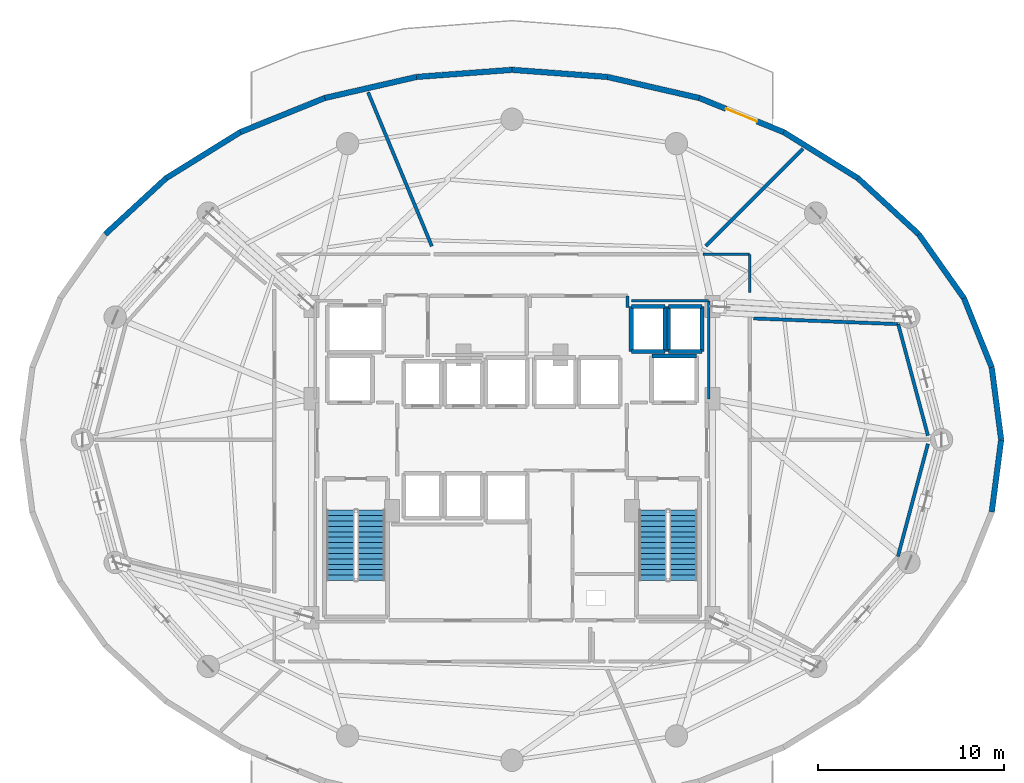
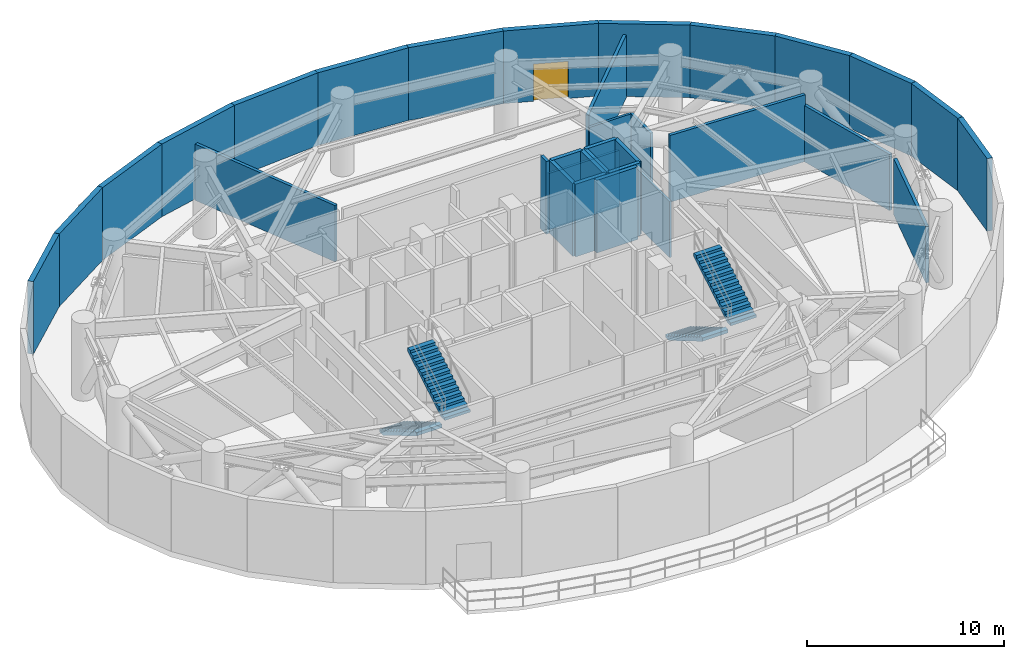
# One storey, part 9 of 10: 33 walls, 4 stair flights, 1 door, 1 opening, 2 elements without a shape of their own.
"""IFC4 building model written with IfcOpenShell, lengths in metres."""

from ifc_helpers import new_model, si_unit, direction, frame, frame_2d, origin, place, context, subcontext, project, spatial, polyline, rectangle, outline, extrude, material, layer, layer_set, type_object, element, fill, aggregate, save


model = new_model("IFC4")

# Units and contexts
model_context = context("Model", 3, precision=1e-05, world=origin(), true_north=direction((0.0, 1.0)))
body_context = subcontext(model_context, "Body", "Model", "MODEL_VIEW")
ifc_project = project(units=[si_unit("LENGTHUNIT", "METRE"), si_unit("AREAUNIT", "SQUARE_METRE"), si_unit("VOLUMEUNIT", "CUBIC_METRE"), si_unit("PLANEANGLEUNIT", "RADIAN"), si_unit("MASSUNIT", "GRAM", prefix="KILO")], contexts=[model_context])

# Site, building, storey
site_placement = place(None, origin())
site = spatial("IfcSite", under=ifc_project, at=site_placement, CompositionType="ELEMENT")
building_placement = place(site_placement, origin())
building = spatial("IfcBuilding", under=site, at=building_placement, Name="Vorneva Point Tower", CompositionType="ELEMENT")
storey_placement = place(building_placement, frame((0.0, 0.0, 69.5)))
storey = spatial("IfcBuildingStorey", under=building, at=storey_placement, Name="L18", CompositionType="ELEMENT", Elevation=69.5)

# Walls
ifc_material_1 = material(Name="Concrete B60 (C50/60)", Category="concrete")
ifc_layer_1 = layer(ifc_material_1, 0.5)
ifc_layer_set_1 = layer_set([ifc_layer_1], Name="Concrete B60 (C50/60)")
wall_type_1 = type_object("IfcWallType", Name="WL-CORE-500", PredefinedType="SHEAR", material=ifc_layer_set_1)
wall_1_placement = place(storey_placement, frame((47.89990234375, 30.5, 0.0), z_axis=(0.0, 0.0, 1.0), x_axis=(-1.0, 0.0, 0.0)))
element("IfcWall", 1, at=wall_1_placement, inside=storey, type_object=wall_type_1, Name="L18 Lift FFL2 Shaft Wall +Y", PredefinedType="SHEAR", context=body_context, shape_type="SweptSolid", body=[
    extrude(rectangle(XDim=2.39990234375, YDim=0.219970703125, at=frame_2d((1.199951171875, 0.0))), origin(), (0.0, 0.0, 1.0), 4.5),
])
ifc_material_2 = material(Name="Precast concrete B50 (C40/50)", Category="concrete")
ifc_layer_2 = layer(ifc_material_2, 0.300048828125)
ifc_layer_set_2 = layer_set([ifc_layer_2], Name="Precast concrete B50 (C40/50)")
wall_type_2 = type_object("IfcWallType", Name="WL-EXT-300", PredefinedType="STANDARD", material=ifc_layer_set_2)
wall_2_placement = place(storey_placement, frame((64.25, 26.0, 0.0), z_axis=(0.0, 0.0, 1.0), x_axis=(-0.129157444793, 0.991624099372, 0.0)))
element("IfcWall", 2, at=wall_2_placement, inside=storey, type_object=wall_type_2, Name="L18 Pale-Metal Facade Spandrel Wall 01.1", PredefinedType="STANDARD", context=body_context, shape_type="SweptSolid", body=[
    extrude(rectangle(XDim=3.9052734375, YDim=0.300048828125, at=frame_2d((1.95263671875, 0.0))), origin(), (0.0, 0.0, 1.0), 4.5),
])
wall_3_placement = place(storey_placement, frame((63.74560546875, 29.87255859375, 0.0), z_axis=(0.0, 0.0, 1.0), x_axis=(-0.372345205928, 0.92809430966, 0.0)))
element("IfcWall", 3, at=wall_3_placement, inside=storey, type_object=wall_type_2, Name="L18 Pale-Metal Facade Spandrel Wall 01.2", PredefinedType="STANDARD", context=body_context, shape_type="SweptSolid", body=[
    extrude(rectangle(XDim=4.01220703125, YDim=0.300048828125, at=frame_2d((2.006103515625, 0.0))), origin(), (0.0, 0.0, 1.0), 4.5),
])
wall_4_placement = place(storey_placement, frame((62.251708984375, 33.59619140625, 0.0), z_axis=(0.0, 0.0, 1.0), x_axis=(-0.57716435238, 0.81662801222, 0.0)))
element("IfcWall", 4, at=wall_4_placement, inside=storey, type_object=wall_type_2, Name="L18 Pale-Metal Facade Spandrel Wall 02.1", PredefinedType="STANDARD", context=body_context, shape_type="SweptSolid", body=[
    extrude(rectangle(XDim=4.202392578125, YDim=0.300048828125, at=frame_2d((2.10107421875, 0.0))), origin(), (0.0, 0.0, 1.0), 4.5),
])
wall_5_placement = place(storey_placement, frame((59.826171875, 37.028076171875, 0.0), z_axis=(0.0, 0.0, 1.0), x_axis=(-0.735416718093, 0.677615119924, 0.0)))
element("IfcWall", 5, at=wall_5_placement, inside=storey, type_object=wall_type_2, Name="L18 Pale-Metal Facade Spandrel Wall 02.2", PredefinedType="STANDARD", context=body_context, shape_type="SweptSolid", body=[
    extrude(rectangle(XDim=4.439208984375, YDim=0.300048828125, at=frame_2d((2.2197265625, 0.0))), origin(), (0.0, 0.0, 1.0), 4.5),
])
wall_6_placement = place(storey_placement, frame((56.5615234375, 40.0361328125, 0.0), z_axis=(0.0, 0.0, 1.0), x_axis=(-0.849684479743, 0.527291461038, 0.0)))
element("IfcWall", 6, at=wall_6_placement, inside=storey, type_object=wall_type_2, Name="L18 Pale-Metal Facade Spandrel Wall 03.1", PredefinedType="STANDARD", context=body_context, shape_type="SweptSolid", body=[
    extrude(rectangle(XDim=4.681396484375, YDim=0.300048828125, at=frame_2d((2.3408203125, 0.0))), origin(), (0.0, 0.0, 1.0), 4.5),
])

# Wall, opening, door
wall_7_placement = place(storey_placement, frame((52.583740234375, 42.504638671875, 0.0), z_axis=(0.0, 0.0, 1.0), x_axis=(-0.927122233109, 0.374759075775, 0.0)))
wall_7 = element("IfcWall", 7, at=wall_7_placement, inside=storey, type_object=wall_type_2, Name="L18 Pale-Metal Facade Spandrel Wall 03.2", PredefinedType="STANDARD", context=body_context, shape_type="SweptSolid", body=[
    extrude(rectangle(XDim=4.89501953125, YDim=0.300048828125, at=frame_2d((2.447509765625, 0.0))), origin(), (0.0, 0.0, 1.0), 4.5),
])
opening_placement = place(wall_7_placement, frame((1.547607421875, 0.0, 0.0)))
opening = element("IfcOpeningElement", 8, at=opening_placement, cuts=wall_7, Name="Opening BD-02", PredefinedType="OPENING", context=body_context, shape_type="SweptSolid", body=[
    extrude(rectangle(XDim=1.800048828125, YDim=2.300048828125, at=frame_2d((0.89990234375, 1.14990234375))), frame((0.0, 0.1650390625, 0.0), z_axis=(0.0, -1.0, 0.0), x_axis=(1.0, 0.0, 0.0)), (0.0, 0.0, 1.0), 0.329833984375),
])
ifc_material_3 = material(Name="Pale anodised aluminium", Category="aluminium")
door_type = type_object("IfcDoorType", Name="DR-TER-1800", OperationType="DOUBLE_SWING_LEFT", PredefinedType="DOOR", material=ifc_material_3)
door_placement = place(opening_placement, origin())
door = element("IfcDoor", 9, at=door_placement, inside=storey, type_object=door_type, Name="L18 Balcony Terrace Access Door 03", OperationType="DOUBLE_SWING_LEFT", OverallHeight=2.300048828125, OverallWidth=1.800048828125, PredefinedType="DOOR", context=body_context, shape_type="SweptSolid", body=[
    extrude(rectangle(XDim=1.800048828125, YDim=2.300048828125, at=frame_2d((0.89990234375, 1.14990234375))), frame((0.0, 0.02490234375, 0.0), z_axis=(0.0, -1.0, 0.0), x_axis=(1.0, 0.0, 0.0)), (0.0, 0.0, 1.0), 0.050048828125),
])
fill(opening, door)

# Walls
wall_8_placement = place(storey_placement, frame((48.04541015625, 44.339111328125, 0.0), z_axis=(0.0, 0.0, 1.0), x_axis=(-0.974693285837, 0.223546412508, 0.0)))
element("IfcWall", 10, at=wall_8_placement, inside=storey, type_object=wall_type_2, Name="L18 Pale-Metal Facade Spandrel Wall 04.1", PredefinedType="STANDARD", context=body_context, shape_type="SweptSolid", body=[
    extrude(rectangle(XDim=5.05224609375, YDim=0.300048828125, at=frame_2d((2.526123046875, 0.0))), origin(), (0.0, 0.0, 1.0), 4.5),
])
for number, where, z_axis, x_axis, name in (
    (11, (43.12109375, 45.468505859375, 0.0), (0.0, 0.0, 1.0), (-0.997235359288, 0.074307726286, 0.0), "L18 Pale-Metal Facade Spandrel Wall 04.2"),
    (12, (38.0, 45.85009765625, 0.0), (0.0, 0.0, 1.0), (-0.997235359288, -0.074307726286, 0.0), "L18 Pale-Metal Facade Spandrel Wall 05.1"),
):
    element("IfcWall", number, at=place(storey_placement, frame(where, z_axis=z_axis, x_axis=x_axis)), inside=storey, type_object=wall_type_2, Name=name, PredefinedType="STANDARD", context=body_context, shape_type="SweptSolid", body=[
        extrude(rectangle(XDim=5.13525390625, YDim=0.300048828125, at=frame_2d((2.567626953125, 0.0))), origin(), (0.0, 0.0, 1.0), 4.5),
    ])
wall_9_placement = place(storey_placement, frame((32.87890625, 45.468505859375, 0.0), z_axis=(0.0, 0.0, 1.0), x_axis=(-0.974693285837, -0.223546412508, 0.0)))
element("IfcWall", 13, at=wall_9_placement, inside=storey, type_object=wall_type_2, Name="L18 Pale-Metal Facade Spandrel Wall 05.2", PredefinedType="STANDARD", context=body_context, shape_type="SweptSolid", body=[
    extrude(rectangle(XDim=5.05224609375, YDim=0.300048828125, at=frame_2d((2.526123046875, 0.0))), origin(), (0.0, 0.0, 1.0), 4.5),
])
wall_10_placement = place(storey_placement, frame((27.95458984375, 44.339111328125, 0.0), z_axis=(0.0, 0.0, 1.0), x_axis=(-0.927122233109, -0.374759075775, 0.0)))
element("IfcWall", 14, at=wall_10_placement, inside=storey, type_object=wall_type_2, Name="L18 Pale-Metal Facade Spandrel Wall 06.1", PredefinedType="STANDARD", context=body_context, shape_type="SweptSolid", body=[
    extrude(rectangle(XDim=4.89501953125, YDim=0.300048828125, at=frame_2d((2.447509765625, 0.0))), origin(), (0.0, 0.0, 1.0), 4.5),
])
wall_11_placement = place(storey_placement, frame((23.416259765625, 42.504638671875, 0.0), z_axis=(0.0, 0.0, 1.0), x_axis=(-0.849684479743, -0.527291461038, 0.0)))
element("IfcWall", 15, at=wall_11_placement, inside=storey, type_object=wall_type_2, Name="L18 Pale-Metal Facade Spandrel Wall 06.2", PredefinedType="STANDARD", context=body_context, shape_type="SweptSolid", body=[
    extrude(rectangle(XDim=4.681396484375, YDim=0.300048828125, at=frame_2d((2.3408203125, 0.0))), origin(), (0.0, 0.0, 1.0), 4.5),
])
wall_12_placement = place(storey_placement, frame((19.4384765625, 40.0361328125, 0.0), z_axis=(0.0, 0.0, 1.0), x_axis=(-0.735416718093, -0.677615119924, 0.0)))
element("IfcWall", 16, at=wall_12_placement, inside=storey, type_object=wall_type_2, Name="L18 Pale-Metal Facade Spandrel Wall 07.1", PredefinedType="STANDARD", context=body_context, shape_type="SweptSolid", body=[
    extrude(rectangle(XDim=4.439208984375, YDim=0.300048828125, at=frame_2d((2.2197265625, 0.0))), origin(), (0.0, 0.0, 1.0), 4.5),
])
wall_13_placement = place(storey_placement, frame((63.74560546875, 22.12744140625, 0.0), z_axis=(0.0, 0.0, 1.0), x_axis=(0.129157444793, 0.991624099372, 0.0)))
element("IfcWall", 17, at=wall_13_placement, inside=storey, type_object=wall_type_2, Name="L18 Pale-Metal Facade Spandrel Wall 16.2", PredefinedType="STANDARD", context=body_context, shape_type="SweptSolid", body=[
    extrude(rectangle(XDim=3.9052734375, YDim=0.300048828125, at=frame_2d((1.95263671875, 0.0))), origin(), (0.0, 0.0, 1.0), 4.5),
])
ifc_material_4 = material(Name="Fire-rated acoustic gypsum stud partition", Category="gypsum")
ifc_layer_3 = layer(ifc_material_4, 0.139892578125)
ifc_layer_set_3 = layer_set([ifc_layer_3], Name="Fire-rated acoustic gypsum stud partition")
wall_type_3 = type_object("IfcWallType", Name="WL-PART-140", PredefinedType="PARTITIONING", material=ifc_layer_set_3)
wall_14_placement = place(storey_placement, frame((44.419921875, 33.449951171875, 0.0), z_axis=(0.0, 0.0, 1.0), x_axis=(1.0, 0.0, 0.0)))
element("IfcWall", 18, at=wall_14_placement, inside=storey, type_object=wall_type_3, Name="L18 Interior Closure Partition 039", PredefinedType="PARTITIONING", context=body_context, shape_type="SweptSolid", body=[
    extrude(rectangle(XDim=4.130126953125, YDim=0.139892578125, at=frame_2d((2.06494140625, 0.0))), origin(), (0.0, 0.0, 1.0), 3.48193359375),
])
wall_15_placement = place(storey_placement, frame((48.550048828125, 33.449951171875, 0.0), z_axis=(0.0, 0.0, 1.0), x_axis=(0.0, -1.0, 0.0)))
element("IfcWall", 19, at=wall_15_placement, inside=storey, type_object=wall_type_3, Name="L18 Interior Closure Partition 040", PredefinedType="PARTITIONING", context=body_context, shape_type="SweptSolid", body=[
    extrude(rectangle(XDim=5.25390625, YDim=0.139892578125, at=frame_2d((2.626953125, 0.0))), origin(), (0.0, 0.0, 1.0), 3.48193359375),
])
wall_16_placement = place(storey_placement, frame((50.75, 33.902099609375, 0.0), z_axis=(0.0, 0.0, 1.0), x_axis=(0.0, 1.0, 0.0)))
element("IfcWall", 20, at=wall_16_placement, inside=storey, type_object=wall_type_3, Name="L18 Interior Closure Partition 046", PredefinedType="PARTITIONING", context=body_context, shape_type="SweptSolid", body=[
    extrude(rectangle(XDim=2.0478515625, YDim=0.139892578125, at=frame_2d((1.02392578125, 0.0))), origin(), (0.0, 0.0, 1.0), 3.48193359375),
])
wall_17_placement = place(storey_placement, frame((50.75, 35.949951171875, 0.0), z_axis=(0.0, 0.0, 1.0), x_axis=(-1.0, 0.0, 0.0)))
element("IfcWall", 21, at=wall_17_placement, inside=storey, type_object=wall_type_3, Name="L18 Interior Closure Partition 047", PredefinedType="PARTITIONING", context=body_context, shape_type="SweptSolid", body=[
    extrude(rectangle(XDim=2.4951171875, YDim=0.139892578125, at=frame_2d((1.24755859375, 0.0))), origin(), (0.0, 0.0, 1.0), 3.48193359375),
])
ifc_material_5 = material(Name="Autoclaved aerated concrete blockwork", Category="masonry")
ifc_layer_4 = layer(ifc_material_5, 0.179931640625)
ifc_layer_set_4 = layer_set([ifc_layer_4], Name="Autoclaved aerated concrete blockwork")
wall_type_4 = type_object("IfcWallType", Name="WL-PART-180", PredefinedType="PARTITIONING", material=ifc_layer_set_4)
wall_18_placement = place(storey_placement, frame((44.199951171875, 33.110107421875, 0.0), z_axis=(0.0, 0.0, 1.0), x_axis=(0.0, 1.0, 0.0)))
element("IfcWall", 22, at=wall_18_placement, inside=storey, type_object=wall_type_4, Name="L18 Interior Partition 019", PredefinedType="PARTITIONING", context=body_context, shape_type="SweptSolid", body=[
    extrude(rectangle(XDim=0.60986328125, YDim=0.179931640625, at=frame_2d((0.304931640625, 0.0))), origin(), (0.0, 0.0, 1.0), 4.5),
])
wall_19_placement = place(storey_placement, frame((48.39990234375, 36.39990234375, 0.0), z_axis=(0.0, 0.0, 1.0), x_axis=(0.707106781187, 0.707106781187, 0.0)))
element("IfcWall", 23, at=wall_19_placement, inside=storey, type_object=wall_type_4, Name="L18 Interior Closure Partition 058", PredefinedType="PARTITIONING", context=body_context, shape_type="SweptSolid", body=[
    extrude(rectangle(XDim=7.36669921875, YDim=0.179931640625, at=frame_2d((3.683349609375, 0.0))), origin(), (0.0, 0.0, 1.0), 3.884033203125),
])
wall_20_placement = place(storey_placement, frame((30.277099609375, 44.64599609375, 0.0), z_axis=(0.0, 0.0, 1.0), x_axis=(0.382673394638, -0.92388369021, 0.0)))
element("IfcWall", 24, at=wall_20_placement, inside=storey, type_object=wall_type_4, Name="L18 Interior Closure Partition 059", PredefinedType="PARTITIONING", context=body_context, shape_type="SweptSolid", body=[
    extrude(rectangle(XDim=8.939453125, YDim=0.179931640625, at=frame_2d((4.4697265625, 0.0))), origin(), (0.0, 0.0, 1.0), 3.48193359375),
])
wall_21_placement = place(storey_placement, frame((58.70703125, 19.736083984375, 0.0), z_axis=(0.0, 0.0, 1.0), x_axis=(0.257567905164, 0.966260200065, 0.0)))
element("IfcWall", 25, at=wall_21_placement, inside=storey, type_object=wall_type_4, Name="L18 Interior Closure Partition 070", PredefinedType="PARTITIONING", context=body_context, shape_type="SweptSolid", body=[
    extrude(rectangle(XDim=6.2548828125, YDim=0.179931640625, at=frame_2d((3.12744140625, 0.0))), origin(), (0.0, 0.0, 1.0), 3.48193359375),
])
wall_22_placement = place(storey_placement, frame((60.31591796875, 26.22998046875, 0.0), z_axis=(0.0, 0.0, 1.0), x_axis=(-0.257611046893, 0.966248699103, 0.0)))
element("IfcWall", 26, at=wall_22_placement, inside=storey, type_object=wall_type_4, Name="L18 Interior Closure Partition 071", PredefinedType="PARTITIONING", context=body_context, shape_type="SweptSolid", body=[
    extrude(rectangle(XDim=6.183837890625, YDim=0.179931640625, at=frame_2d((3.091796875, 0.0))), origin(), (0.0, 0.0, 1.0), 3.48193359375),
])
wall_23_placement = place(storey_placement, frame((58.722900390625, 32.205078125, 0.0), z_axis=(0.0, 0.0, 1.0), x_axis=(-0.999222475973, 0.039426431616, 0.0)))
element("IfcWall", 27, at=wall_23_placement, inside=storey, type_object=wall_type_4, Name="L18 Interior Closure Partition 072", PredefinedType="PARTITIONING", context=body_context, shape_type="SweptSolid", body=[
    extrude(rectangle(XDim=7.759033203125, YDim=0.179931640625, at=frame_2d((3.87939453125, 0.0))), origin(), (0.0, 0.0, 1.0), 4.134033203125),
])
ifc_material_6 = material(Name="Concrete B50 (C40/50)", Category="concrete")
ifc_layer_5 = layer(ifc_material_6, 0.219970703125)
ifc_layer_set_5 = layer_set([ifc_layer_5], Name="Concrete B50 (C40/50)")
wall_type_5 = type_object("IfcWallType", Name="WL-SHFT-220", PredefinedType="SOLIDWALL", material=ifc_layer_set_5)
wall_24_placement = place(storey_placement, frame((44.39990234375, 30.739990234375, 0.0), z_axis=(0.0, 0.0, 1.0), x_axis=(1.0, 0.0, 0.0)))
element("IfcWall", 28, at=wall_24_placement, inside=storey, type_object=wall_type_5, Name="L18 Lift EX1 Shaft Wall -Y", PredefinedType="SOLIDWALL", context=body_context, shape_type="SweptSolid", body=[
    extrude(rectangle(XDim=1.800048828125, YDim=0.219970703125, at=frame_2d((0.89990234375, 0.0))), origin(), (0.0, 0.0, 1.0), 4.5),
])
wall_25_placement = place(storey_placement, frame((46.199951171875, 30.739990234375, 0.0), z_axis=(0.0, 0.0, 1.0), x_axis=(0.0, 1.0, 0.0)))
element("IfcWall", 29, at=wall_25_placement, inside=storey, type_object=wall_type_5, Name="L18 Lift EX1 Shaft Wall +X", PredefinedType="SOLIDWALL", context=body_context, shape_type="SweptSolid", body=[
    extrude(rectangle(XDim=2.419921875, YDim=0.219970703125, at=frame_2d((1.2099609375, 0.0))), origin(), (0.0, 0.0, 1.0), 4.5),
])
wall_26_placement = place(storey_placement, frame((46.199951171875, 33.159912109375, 0.0), z_axis=(0.0, 0.0, 1.0), x_axis=(-1.0, 0.0, 0.0)))
element("IfcWall", 30, at=wall_26_placement, inside=storey, type_object=wall_type_5, Name="L18 Lift EX1 Shaft Wall +Y", PredefinedType="SOLIDWALL", context=body_context, shape_type="SweptSolid", body=[
    extrude(rectangle(XDim=1.800048828125, YDim=0.219970703125, at=frame_2d((0.89990234375, 0.0))), origin(), (0.0, 0.0, 1.0), 4.5),
])
wall_27_placement = place(storey_placement, frame((44.39990234375, 33.159912109375, 0.0), z_axis=(0.0, 0.0, 1.0), x_axis=(0.0, -1.0, 0.0)))
element("IfcWall", 31, at=wall_27_placement, inside=storey, type_object=wall_type_5, Name="L18 Lift EX1 Shaft Wall -X", PredefinedType="SOLIDWALL", context=body_context, shape_type="SweptSolid", body=[
    extrude(rectangle(XDim=2.419921875, YDim=0.219970703125, at=frame_2d((1.2099609375, 0.0))), origin(), (0.0, 0.0, 1.0), 4.5),
])
wall_28_placement = place(storey_placement, frame((46.39990234375, 30.739990234375, 0.0), z_axis=(0.0, 0.0, 1.0), x_axis=(1.0, 0.0, 0.0)))
element("IfcWall", 32, at=wall_28_placement, inside=storey, type_object=wall_type_5, Name="L18 Lift EX2 Shaft Wall -Y", PredefinedType="SOLIDWALL", context=body_context, shape_type="SweptSolid", body=[
    extrude(rectangle(XDim=1.800048828125, YDim=0.219970703125, at=frame_2d((0.89990234375, 0.0))), origin(), (0.0, 0.0, 1.0), 4.5),
])
wall_29_placement = place(storey_placement, frame((48.199951171875, 30.739990234375, 0.0), z_axis=(0.0, 0.0, 1.0), x_axis=(0.0, 1.0, 0.0)))
element("IfcWall", 33, at=wall_29_placement, inside=storey, type_object=wall_type_5, Name="L18 Lift EX2 Shaft Wall +X", PredefinedType="SOLIDWALL", context=body_context, shape_type="SweptSolid", body=[
    extrude(rectangle(XDim=2.419921875, YDim=0.219970703125, at=frame_2d((1.2099609375, 0.0))), origin(), (0.0, 0.0, 1.0), 4.5),
])
wall_30_placement = place(storey_placement, frame((48.199951171875, 33.159912109375, 0.0), z_axis=(0.0, 0.0, 1.0), x_axis=(-1.0, 0.0, 0.0)))
element("IfcWall", 34, at=wall_30_placement, inside=storey, type_object=wall_type_5, Name="L18 Lift EX2 Shaft Wall +Y", PredefinedType="SOLIDWALL", context=body_context, shape_type="SweptSolid", body=[
    extrude(rectangle(XDim=1.800048828125, YDim=0.219970703125, at=frame_2d((0.89990234375, 0.0))), origin(), (0.0, 0.0, 1.0), 4.5),
])
wall_31_placement = place(storey_placement, frame((46.39990234375, 33.159912109375, 0.0), z_axis=(0.0, 0.0, 1.0), x_axis=(0.0, -1.0, 0.0)))
element("IfcWall", 35, at=wall_31_placement, inside=storey, type_object=wall_type_5, Name="L18 Lift EX2 Shaft Wall -X", PredefinedType="SOLIDWALL", context=body_context, shape_type="SweptSolid", body=[
    extrude(rectangle(XDim=2.419921875, YDim=0.219970703125, at=frame_2d((1.2099609375, 0.0))), origin(), (0.0, 0.0, 1.0), 4.5),
])

# Stair, stair flights
stair_type = type_object("IfcStairType", Name="ST-DOG-1500", PredefinedType="HALF_TURN_STAIR", material=ifc_material_6)
stair_1_placement = place(storey_placement, origin())
stair_1 = element("IfcStair", 36, at=stair_1_placement, inside=storey, type_object=stair_type, Name="L18 ST1", PredefinedType="HALF_TURN_STAIR")
stair_flight_type = type_object("IfcStairFlightType", Name="STF-1500", PredefinedType="STRAIGHT", material=ifc_material_6)
stair_flight_1_placement = place(storey_placement, frame((28.800048828125, 22.219970703125, 0.0), z_axis=(0.0, 0.0, 1.0), x_axis=(0.0, -1.0, 0.0)))
stair_flight_1 = element("IfcStairFlight", 37, at=stair_flight_1_placement, type_object=stair_flight_type, Name="ST1 flight 1", NumberOfRisers=14, NumberOfTreads=13, PredefinedType="STRAIGHT", RiserHeight=0.171428571, TreadLength=0.29, context=body_context, shape_type="SweptSolid", body=[
    extrude(outline(polyline([(0.0, 0.0), (0.0, 0.17138671875), (0.2900390625, 0.17138671875), (0.2900390625, 0.3427734375), (0.580078125, 0.3427734375), (0.580078125, 0.514404296875), (0.8701171875, 0.514404296875), (0.8701171875, 0.685791015625), (1.159912109375, 0.685791015625), (1.159912109375, 0.857177734375), (1.449951171875, 0.857177734375), (1.449951171875, 1.028564453125), (1.739990234375, 1.028564453125), (1.739990234375, 1.199951171875), (2.030029296875, 1.199951171875), (2.030029296875, 1.371337890625), (2.320068359375, 1.371337890625), (2.320068359375, 1.54296875), (2.610107421875, 1.54296875), (2.610107421875, 1.71435546875), (2.89990234375, 1.71435546875), (2.89990234375, 1.8857421875), (3.18994140625, 1.8857421875), (3.18994140625, 2.05712890625), (3.47998046875, 2.05712890625), (3.47998046875, 2.228515625), (3.77001953125, 2.228515625), (3.77001953125, 2.39990234375), (3.77001953125, 2.01953125), (0.353515625, 0.0), (0.0, 0.0)])), frame((0.0, 0.75, 0.0), z_axis=(0.0, -1.0, 0.0), x_axis=(1.0, 0.0, 0.0)), (0.0, 0.0, 1.0), 1.5),
])
stair_flight_2_placement = place(storey_placement, frame((30.449951171875, 18.449951171875, 2.39990234375), z_axis=(0.0, 0.0, 1.0), x_axis=(0.0, 1.0, 0.0)))
stair_flight_2 = element("IfcStairFlight", 38, at=stair_flight_2_placement, type_object=stair_flight_type, Name="ST1 flight 2", NumberOfRisers=14, NumberOfTreads=13, PredefinedType="STRAIGHT", RiserHeight=0.171428571, TreadLength=0.29, context=body_context, shape_type="SweptSolid", body=[
    extrude(outline(polyline([(0.0, 0.0), (0.0, 0.17138671875), (0.2900390625, 0.17138671875), (0.2900390625, 0.3427734375), (0.580078125, 0.3427734375), (0.580078125, 0.514404296875), (0.8701171875, 0.514404296875), (0.8701171875, 0.685791015625), (1.159912109375, 0.685791015625), (1.159912109375, 0.857177734375), (1.449951171875, 0.857177734375), (1.449951171875, 1.028564453125), (1.739990234375, 1.028564453125), (1.739990234375, 1.199951171875), (2.030029296875, 1.199951171875), (2.030029296875, 1.371337890625), (2.320068359375, 1.371337890625), (2.320068359375, 1.54296875), (2.610107421875, 1.54296875), (2.610107421875, 1.71435546875), (2.89990234375, 1.71435546875), (2.89990234375, 1.8857421875), (3.18994140625, 1.8857421875), (3.18994140625, 2.05712890625), (3.47998046875, 2.05712890625), (3.47998046875, 2.228515625), (3.77001953125, 2.228515625), (3.77001953125, 2.39990234375), (3.77001953125, 2.01953125), (0.353515625, 0.0), (0.0, 0.0)])), frame((0.0, 0.75, 0.0), z_axis=(0.0, -1.0, 0.0), x_axis=(1.0, 0.0, 0.0)), (0.0, 0.0, 1.0), 1.5),
])
aggregate(stair_1, [stair_flight_1, stair_flight_2])

stair_2_placement = place(storey_placement, origin())
stair_2 = element("IfcStair", 39, at=stair_2_placement, inside=storey, type_object=stair_type, Name="L18 ST2", PredefinedType="HALF_TURN_STAIR")
stair_flight_3_placement = place(storey_placement, frame((45.550048828125, 22.219970703125, 0.0), z_axis=(0.0, 0.0, 1.0), x_axis=(0.0, -1.0, 0.0)))
stair_flight_3 = element("IfcStairFlight", 40, at=stair_flight_3_placement, type_object=stair_flight_type, Name="ST2 flight 1", NumberOfRisers=14, NumberOfTreads=13, PredefinedType="STRAIGHT", RiserHeight=0.171428571, TreadLength=0.29, context=body_context, shape_type="SweptSolid", body=[
    extrude(outline(polyline([(0.0, 0.0), (0.0, 0.17138671875), (0.2900390625, 0.17138671875), (0.2900390625, 0.3427734375), (0.580078125, 0.3427734375), (0.580078125, 0.514404296875), (0.8701171875, 0.514404296875), (0.8701171875, 0.685791015625), (1.159912109375, 0.685791015625), (1.159912109375, 0.857177734375), (1.449951171875, 0.857177734375), (1.449951171875, 1.028564453125), (1.739990234375, 1.028564453125), (1.739990234375, 1.199951171875), (2.030029296875, 1.199951171875), (2.030029296875, 1.371337890625), (2.320068359375, 1.371337890625), (2.320068359375, 1.54296875), (2.610107421875, 1.54296875), (2.610107421875, 1.71435546875), (2.89990234375, 1.71435546875), (2.89990234375, 1.8857421875), (3.18994140625, 1.8857421875), (3.18994140625, 2.05712890625), (3.47998046875, 2.05712890625), (3.47998046875, 2.228515625), (3.77001953125, 2.228515625), (3.77001953125, 2.39990234375), (3.77001953125, 2.01953125), (0.353515625, 0.0), (0.0, 0.0)])), frame((0.0, 0.75, 0.0), z_axis=(0.0, -1.0, 0.0), x_axis=(1.0, 0.0, 0.0)), (0.0, 0.0, 1.0), 1.5),
])
stair_flight_4_placement = place(storey_placement, frame((47.199951171875, 18.449951171875, 2.39990234375), z_axis=(0.0, 0.0, 1.0), x_axis=(0.0, 1.0, 0.0)))
stair_flight_4 = element("IfcStairFlight", 41, at=stair_flight_4_placement, type_object=stair_flight_type, Name="ST2 flight 2", NumberOfRisers=14, NumberOfTreads=13, PredefinedType="STRAIGHT", RiserHeight=0.171428571, TreadLength=0.29, context=body_context, shape_type="SweptSolid", body=[
    extrude(outline(polyline([(0.0, 0.0), (0.0, 0.17138671875), (0.2900390625, 0.17138671875), (0.2900390625, 0.3427734375), (0.580078125, 0.3427734375), (0.580078125, 0.514404296875), (0.8701171875, 0.514404296875), (0.8701171875, 0.685791015625), (1.159912109375, 0.685791015625), (1.159912109375, 0.857177734375), (1.449951171875, 0.857177734375), (1.449951171875, 1.028564453125), (1.739990234375, 1.028564453125), (1.739990234375, 1.199951171875), (2.030029296875, 1.199951171875), (2.030029296875, 1.371337890625), (2.320068359375, 1.371337890625), (2.320068359375, 1.54296875), (2.610107421875, 1.54296875), (2.610107421875, 1.71435546875), (2.89990234375, 1.71435546875), (2.89990234375, 1.8857421875), (3.18994140625, 1.8857421875), (3.18994140625, 2.05712890625), (3.47998046875, 2.05712890625), (3.47998046875, 2.228515625), (3.77001953125, 2.228515625), (3.77001953125, 2.39990234375), (3.77001953125, 2.01953125), (0.353515625, 0.0), (0.0, 0.0)])), frame((0.0, 0.75, 0.0), z_axis=(0.0, -1.0, 0.0), x_axis=(1.0, 0.0, 0.0)), (0.0, 0.0, 1.0), 1.5),
])
aggregate(stair_2, [stair_flight_3, stair_flight_4])

save(model, "model.ifc")
